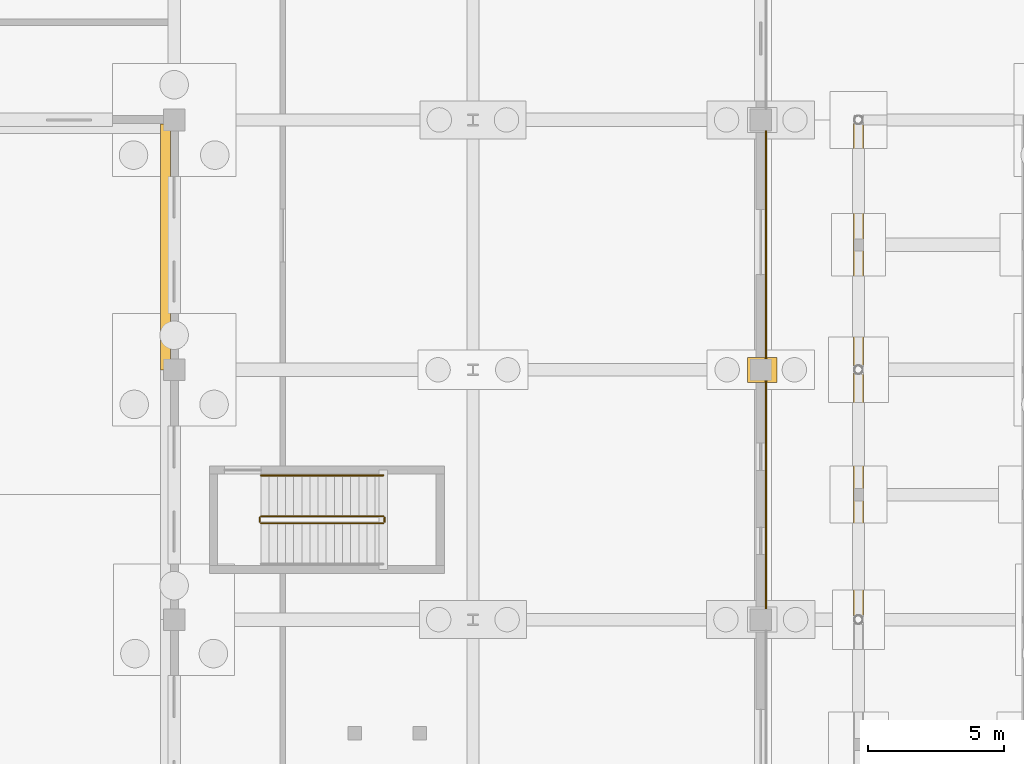
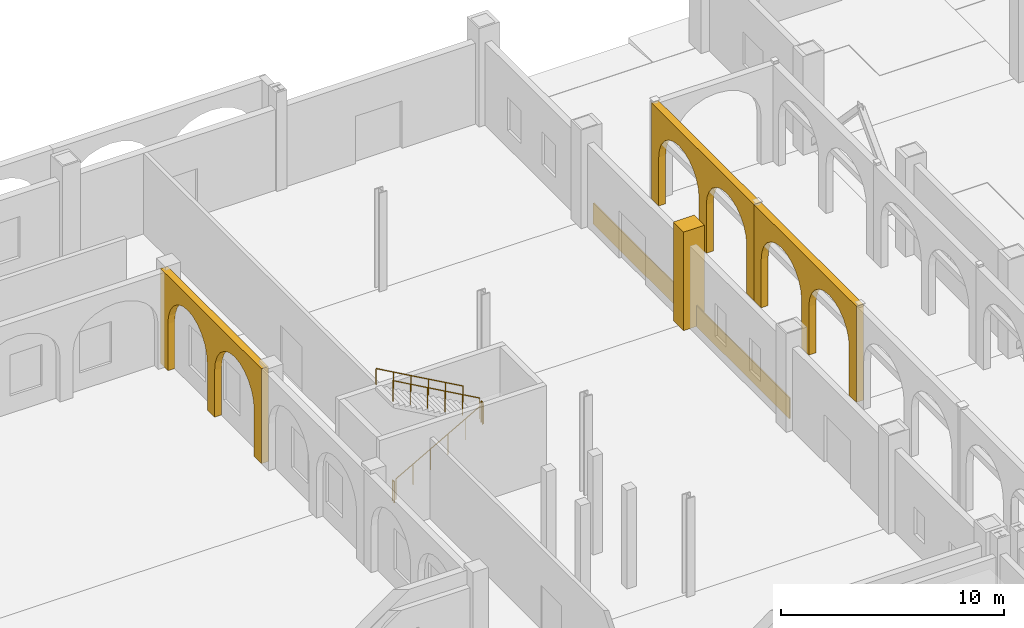
# One storey, part 77 of 83: 6 coverings, 5 railings.
"""IFC4 building model written with IfcOpenShell, lengths in metres."""

from ifc_helpers import new_model, si_unit, direction, frame, frame_2d, origin, origin_2d, place, context, subcontext, project, spatial, polyline, rectangle, circle, outline, extrude, material, layer, layer_set, type_object, element, save


model = new_model("IFC4")

# Units and contexts
model_context = context("Model", 3, precision=1e-05, world=origin(), true_north=direction((0.0, 1.0)))
body_context = subcontext(model_context, "Body", "Model", "MODEL_VIEW")
ifc_project = project(units=[si_unit("LENGTHUNIT", "METRE"), si_unit("AREAUNIT", "SQUARE_METRE"), si_unit("VOLUMEUNIT", "CUBIC_METRE"), si_unit("PLANEANGLEUNIT", "RADIAN"), si_unit("MASSUNIT", "GRAM", prefix="KILO")], contexts=[model_context])

# Site, building, storey
site_placement = place(None, origin())
site = spatial("IfcSite", under=ifc_project, at=site_placement, CompositionType="ELEMENT")
building_placement = place(site_placement, origin())
building = spatial("IfcBuilding", under=site, at=building_placement, Name="Caurita Quay Ferry Terminal", CompositionType="ELEMENT")
storey_placement = place(building_placement, origin())
storey = spatial("IfcBuildingStorey", under=building, at=storey_placement, Name="L00", CompositionType="ELEMENT", Elevation=0.0)

# Coverings
ifc_material_1 = material(Name="Warm-white lime stucco masonry", Category="masonry")
ifc_layer_1 = layer(ifc_material_1, 0.360107421875, Name="Spanish Colonial semicircular lime-stucco portales arcade 360 mm")
ifc_layer_set_1 = layer_set([ifc_layer_1], Name="Warm-white lime stucco masonry")
covering_type_1 = type_object("IfcCoveringType", Name="COV-ARC-CLD", PredefinedType="CLADDING", material=ifc_layer_set_1)
covering_1_placement = place(storey_placement, frame((91.199951171875, 89.39990234375, 0.0), z_axis=(0.0, 0.0, 1.0), x_axis=(0.0, 1.0, 0.0)))
element("IfcCovering", 1, at=covering_1_placement, inside=storey, type_object=covering_type_1, Name="Forecourt Portico Semicircular Arcade 032", PredefinedType="CLADDING", context=body_context, shape_type="SweptSolid", body=[
    extrude(outline(polyline([(0.0, 0.0), (0.64990234375, 0.0), (0.64990234375, 2.64990234375), (0.711669921875, 3.10302734375), (0.892822265625, 3.52490234375), (1.180908203125, 3.887451171875), (1.55615234375, 4.16552734375), (1.993408203125, 4.34033203125), (2.462646484375, 4.39990234375), (2.931640625, 4.34033203125), (3.368896484375, 4.16552734375), (3.744140625, 3.887451171875), (4.0322265625, 3.52490234375), (4.21337890625, 3.10302734375), (4.275146484375, 2.64990234375), (4.275146484375, 0.0), (4.925048828125, 0.0), (4.925048828125, 2.64990234375), (4.98681640625, 3.10302734375), (5.16796875, 3.52490234375), (5.4560546875, 3.887451171875), (5.831298828125, 4.16552734375), (6.2685546875, 4.34033203125), (6.737548828125, 4.39990234375), (7.206787109375, 4.34033203125), (7.64404296875, 4.16552734375), (8.019287109375, 3.887451171875), (8.307373046875, 3.52490234375), (8.488525390625, 3.10302734375), (8.55029296875, 2.64990234375), (8.55029296875, 0.0), (9.2001953125, 0.0), (9.2001953125, 5.260009765625), (0.0, 5.260009765625), (0.0, 0.0)])), frame((0.0, 0.18017578125, 0.0), z_axis=(0.0, -1.0, 0.0), x_axis=(1.0, 0.0, 0.0)), (0.0, 0.0, 1.0), 0.360107421875),
])
covering_2_placement = place(storey_placement, frame((91.199951171875, 98.60009765625, 0.0), z_axis=(0.0, 0.0, 1.0), x_axis=(0.0, 1.0, 0.0)))
element("IfcCovering", 2, at=covering_2_placement, inside=storey, type_object=covering_type_1, Name="Forecourt Portico Semicircular Arcade 033", PredefinedType="CLADDING", context=body_context, shape_type="SweptSolid", body=[
    extrude(outline(polyline([(0.0, 0.0), (0.64990234375, 0.0), (0.64990234375, 2.64990234375), (0.711669921875, 3.10302734375), (0.892822265625, 3.52490234375), (1.180908203125, 3.887451171875), (1.55615234375, 4.16552734375), (1.993408203125, 4.34033203125), (2.46240234375, 4.39990234375), (2.931640625, 4.34033203125), (3.36865234375, 4.16552734375), (3.744140625, 3.887451171875), (4.0322265625, 3.52490234375), (4.213134765625, 3.10302734375), (4.27490234375, 2.64990234375), (4.27490234375, 0.0), (4.925048828125, 0.0), (4.925048828125, 2.64990234375), (4.98681640625, 3.10302734375), (5.167724609375, 3.52490234375), (5.455810546875, 3.887451171875), (5.831298828125, 4.16552734375), (6.268310546875, 4.34033203125), (6.737548828125, 4.39990234375), (7.20654296875, 4.34033203125), (7.643798828125, 4.16552734375), (8.01904296875, 3.887451171875), (8.30712890625, 3.52490234375), (8.48828125, 3.10302734375), (8.550048828125, 2.64990234375), (8.550048828125, 0.0), (9.199951171875, 0.0), (9.199951171875, 5.260009765625), (0.0, 5.260009765625), (0.0, 0.0)])), frame((0.0, 0.18017578125, 0.0), z_axis=(0.0, -1.0, 0.0), x_axis=(1.0, 0.0, 0.0)), (0.0, 0.0, 1.0), 0.360107421875),
])
covering_3_placement = place(storey_placement, frame((65.679931640625, 107.64990234375, 0.0), z_axis=(0.0, 0.0, 1.0), x_axis=(0.0, -1.0, 0.0)))
element("IfcCovering", 3, at=covering_3_placement, inside=storey, type_object=covering_type_1, Name="L00 Courtyard East Cloister Arcade 052", PredefinedType="CLADDING", context=body_context, shape_type="SweptSolid", body=[
    extrude(outline(polyline([(0.0, 0.0), (0.64990234375, 0.0), (0.64990234375, 2.550048828125), (0.71044921875, 3.02880859375), (0.8876953125, 3.47509765625), (1.169921875, 3.858154296875), (1.537353515625, 4.152099609375), (1.965576171875, 4.3369140625), (2.425048828125, 4.39990234375), (2.88427734375, 4.3369140625), (3.3125, 4.152099609375), (3.679931640625, 3.858154296875), (3.962158203125, 3.47509765625), (4.139404296875, 3.02880859375), (4.199951171875, 2.550048828125), (4.199951171875, 0.0), (4.849853515625, 0.0), (4.849853515625, 2.550048828125), (4.910400390625, 3.02880859375), (5.087646484375, 3.47509765625), (5.369873046875, 3.858154296875), (5.7373046875, 4.152099609375), (6.16552734375, 4.3369140625), (6.624755859375, 4.39990234375), (7.084228515625, 4.3369140625), (7.51220703125, 4.152099609375), (7.8798828125, 3.858154296875), (8.162109375, 3.47509765625), (8.33935546875, 3.02880859375), (8.39990234375, 2.550048828125), (8.39990234375, 0.0), (9.0498046875, 0.0), (9.0498046875, 5.199951171875), (0.0, 5.199951171875), (0.0, 0.0)])), frame((0.0, 0.18017578125, 0.0), z_axis=(0.0, -1.0, 0.0), x_axis=(1.0, 0.0, 0.0)), (0.0, 0.0, 1.0), 0.360107421875),
])
ifc_material_2 = material(Name="Coral stone ashlar cladding", Category="masonry")
ifc_layer_2 = layer(ifc_material_2, 0.054931640625, Name="Rusticated coral-stone basamento plinth cladding 55 mm")
ifc_layer_set_2 = layer_set([ifc_layer_2], Name="Coral stone ashlar cladding")
covering_type_2 = type_object("IfcCoveringType", Name="COV-CORAL-CLD", PredefinedType="CLADDING", material=ifc_layer_set_2)
covering_4_placement = place(storey_placement, frame((87.794921875, 89.798095703125, 0.0), z_axis=(0.0, 0.0, 1.0), x_axis=(0.0, 1.0, 0.0)))
element("IfcCovering", 4, at=covering_4_placement, inside=storey, type_object=covering_type_2, Name="Coral-Stone Basamento Cladding 078", PredefinedType="CLADDING", context=body_context, shape_type="SweptSolid", body=[
    extrude(rectangle(XDim=8.40380859375, YDim=0.054931640625, at=frame_2d((4.201904296875, 0.0))), origin(), (0.0, 0.0, 1.0), 1.14990234375),
])
covering_5_placement = place(storey_placement, frame((87.794921875, 98.998046875, 0.0), z_axis=(0.0, 0.0, 1.0), x_axis=(0.0, 1.0, 0.0)))
element("IfcCovering", 5, at=covering_5_placement, inside=storey, type_object=covering_type_2, Name="Coral-Stone Basamento Cladding 079", PredefinedType="CLADDING", context=body_context, shape_type="SweptSolid", body=[
    extrude(rectangle(XDim=8.404052734375, YDim=0.054931640625, at=frame_2d((4.2021484375, 0.0))), origin(), (0.0, 0.0, 1.0), 1.14990234375),
])
ifc_layer_3 = layer(ifc_material_1, 0.179931640625, Name="Classical engaged lime-stucco facade pilaster cladding 180 mm")
ifc_layer_set_3 = layer_set([ifc_layer_3], Name="Warm-white lime stucco masonry")
covering_type_3 = type_object("IfcCoveringType", Name="COV-PIL-CLD", PredefinedType="CLADDING", material=ifc_layer_set_3)
covering_6_placement = place(storey_placement, frame((87.64990234375, 98.60009765625, 0.0), z_axis=(0.0, 0.0, 1.0), x_axis=(1.0, 0.0, 0.0)))
element("IfcCovering", 6, at=covering_6_placement, inside=storey, type_object=covering_type_3, Name="L00 Classical Engaged Pilaster 0400", PredefinedType="CLADDING", context=body_context, shape_type="SweptSolid", body=[
    extrude(rectangle(XDim=1.080078125, YDim=0.919921875, at=origin_2d()), origin(), (0.0, 0.0, 1.0), 5.39990234375),
])

# Railings
ifc_material_3 = material(Name="Bronze architectural metalwork", Category="metal")
railing_type_1 = type_object("IfcRailingType", Name="RL-HND-090", PredefinedType="HANDRAIL", material=ifc_material_3)
railing_1_placement = place(storey_placement, frame((73.699951171875, 94.7099609375, 2.86865234375)))
element("IfcRailing", 7, at=railing_1_placement, inside=storey, type_object=railing_type_1, Name="L00 ST-04 stair handrail 2", PredefinedType="HANDRAIL", context=body_context, shape_type="SweptSolid", body=[
    extrude(circle(Radius=0.02392578125, at=origin_2d()), frame((0.0, 0.0, 0.8759765625), z_axis=(-0.871575537125, 0.0, 0.490261239633), x_axis=(0.0, -1.0, 0.0)), (0.0, 0.0, 1.0), 5.1630859375),
    extrude(circle(Radius=0.02099609375, at=origin_2d()), origin(), (0.0, 0.0, 1.0), 0.851806640625),
    extrude(circle(Radius=0.02099609375, at=origin_2d()), frame((-0.89990234375, 0.0, 0.50634765625)), (0.0, 0.0, 1.0), 0.851806640625),
    extrude(circle(Radius=0.02099609375, at=origin_2d()), frame((-1.800048828125, 0.0, 1.012451171875)), (0.0, 0.0, 1.0), 0.851806640625),
    extrude(circle(Radius=0.02099609375, at=origin_2d()), frame((-2.699951171875, 0.0, 1.518798828125)), (0.0, 0.0, 1.0), 0.851806640625),
    extrude(circle(Radius=0.02099609375, at=origin_2d()), frame((-3.60009765625, 0.0, 2.02490234375)), (0.0, 0.0, 1.0), 0.851806640625),
    extrude(circle(Radius=0.02099609375, at=origin_2d()), frame((-4.5, 0.0, 2.53125)), (0.0, 0.0, 1.0), 0.851806640625),
])
railing_type_2 = type_object("IfcRailingType", Name="RL-REJA-115", PredefinedType="BALUSTRADE", material=ifc_material_3)
railing_2_placement = place(storey_placement, frame((69.199951171875, 92.949951171875, 0.168701171875)))
element("IfcRailing", 8, at=railing_2_placement, inside=storey, type_object=railing_type_2, Name="L00 ST-04 stair guard 1", PredefinedType="BALUSTRADE", context=body_context, shape_type="SweptSolid", body=[
    extrude(circle(Radius=0.02392578125, at=origin_2d()), frame((0.0, 0.0, 1.1259765625), z_axis=(0.871575537125, 0.0, 0.490261239633), x_axis=(0.0, 1.0, 0.0)), (0.0, 0.0, 1.0), 5.1630859375),
    extrude(circle(Radius=0.02099609375, at=origin_2d()), origin(), (0.0, 0.0, 1.0), 1.101806640625),
    extrude(circle(Radius=0.02099609375, at=origin_2d()), frame((0.89990234375, 0.0, 0.50634765625)), (0.0, 0.0, 1.0), 1.101806640625),
    extrude(circle(Radius=0.02099609375, at=origin_2d()), frame((1.800048828125, 0.0, 1.012451171875)), (0.0, 0.0, 1.0), 1.101806640625),
    extrude(circle(Radius=0.02099609375, at=origin_2d()), frame((2.699951171875, 0.0, 1.518798828125)), (0.0, 0.0, 1.0), 1.101806640625),
    extrude(circle(Radius=0.02099609375, at=origin_2d()), frame((3.60009765625, 0.0, 2.02490234375)), (0.0, 0.0, 1.0), 1.101806640625),
    extrude(circle(Radius=0.02099609375, at=origin_2d()), frame((4.5, 0.0, 2.53125)), (0.0, 0.0, 1.0), 1.101806640625),
])
railing_3_placement = place(storey_placement, frame((73.75, 93.0, 2.699951171875)))
element("IfcRailing", 9, at=railing_3_placement, inside=storey, type_object=railing_type_2, Name="L00 ST-04 stair guard 2", PredefinedType="BALUSTRADE", context=body_context, shape_type="SweptSolid", body=[
    extrude(circle(Radius=0.02392578125, at=origin_2d()), frame((0.0, 0.0, 1.1259765625), z_axis=(0.0, 1.0, 0.0), x_axis=(-1.0, 0.0, 0.0)), (0.0, 0.0, 1.0), 0.159912109375),
    extrude(circle(Radius=0.02099609375, at=origin_2d()), origin(), (0.0, 0.0, 1.0), 1.101806640625),
    extrude(circle(Radius=0.02099609375, at=origin_2d()), frame((0.0, 0.159912109375, 0.0)), (0.0, 0.0, 1.0), 1.101806640625),
])
railing_4_placement = place(storey_placement, frame((73.699951171875, 93.2099609375, 2.86865234375)))
element("IfcRailing", 10, at=railing_4_placement, inside=storey, type_object=railing_type_2, Name="L00 ST-04 stair guard 3", PredefinedType="BALUSTRADE", context=body_context, shape_type="SweptSolid", body=[
    extrude(circle(Radius=0.02392578125, at=origin_2d()), frame((0.0, 0.0, 1.1259765625), z_axis=(-0.871575537125, 0.0, 0.490261239633), x_axis=(0.0, -1.0, 0.0)), (0.0, 0.0, 1.0), 5.1630859375),
    extrude(circle(Radius=0.02099609375, at=origin_2d()), origin(), (0.0, 0.0, 1.0), 1.101806640625),
    extrude(circle(Radius=0.02099609375, at=origin_2d()), frame((-0.89990234375, 0.0, 0.50634765625)), (0.0, 0.0, 1.0), 1.101806640625),
    extrude(circle(Radius=0.02099609375, at=origin_2d()), frame((-1.800048828125, 0.0, 1.012451171875)), (0.0, 0.0, 1.0), 1.101806640625),
    extrude(circle(Radius=0.02099609375, at=origin_2d()), frame((-2.699951171875, 0.0, 1.518798828125)), (0.0, 0.0, 1.0), 1.101806640625),
    extrude(circle(Radius=0.02099609375, at=origin_2d()), frame((-3.60009765625, 0.0, 2.02490234375)), (0.0, 0.0, 1.0), 1.101806640625),
    extrude(circle(Radius=0.02099609375, at=origin_2d()), frame((-4.5, 0.0, 2.53125)), (0.0, 0.0, 1.0), 1.101806640625),
])
railing_5_placement = place(storey_placement, frame((69.14990234375, 93.0, 0.0)))
element("IfcRailing", 11, at=railing_5_placement, inside=storey, type_object=railing_type_2, Name="L00 ST-04 stair guard 4", PredefinedType="BALUSTRADE", context=body_context, shape_type="SweptSolid", body=[
    extrude(circle(Radius=0.02392578125, at=origin_2d()), frame((0.0, 0.0, 1.1259765625), z_axis=(0.0, 1.0, 0.0), x_axis=(-1.0, 0.0, 0.0)), (0.0, 0.0, 1.0), 0.159912109375),
    extrude(circle(Radius=0.02099609375, at=origin_2d()), origin(), (0.0, 0.0, 1.0), 1.101806640625),
    extrude(circle(Radius=0.02099609375, at=origin_2d()), frame((0.0, 0.159912109375, 0.0)), (0.0, 0.0, 1.0), 1.101806640625),
])

save(model, "model.ifc")
